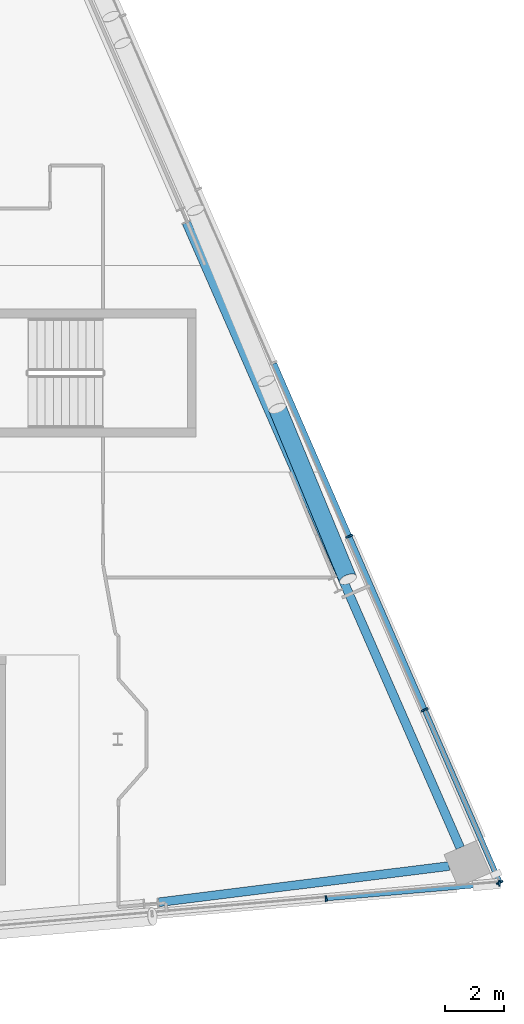
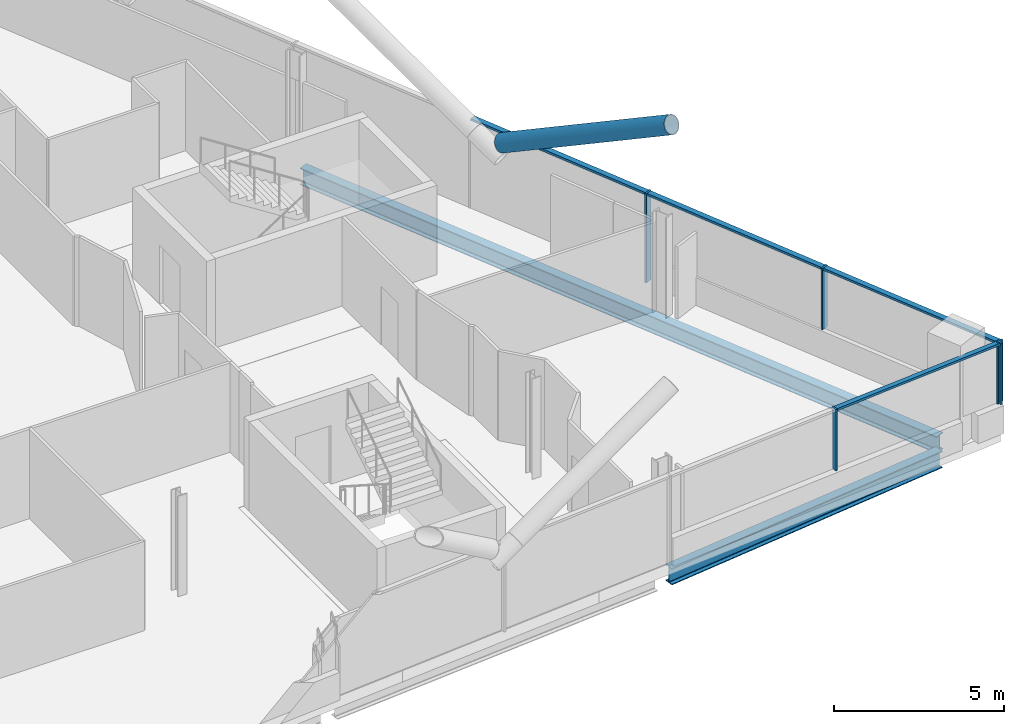
# One storey, part 12 of 28: 10 members, 2 beams, 2 elements without a shape of their own.
"""IFC4 building model written with IfcOpenShell, lengths in metres."""

from ifc_helpers import new_model, si_unit, direction, frame, origin, origin_2d, place, context, subcontext, project, spatial, rectangle, hollow_circle, i_section, extrude, material, material_profile, profile_set, type_object, element, aggregate, save


model = new_model("IFC4")

# Units and contexts
model_context = context("Model", 3, precision=1e-05, world=origin(), true_north=direction((0.0, 1.0)))
body_context = subcontext(model_context, "Body", "Model", "MODEL_VIEW")
ifc_project = project(units=[si_unit("LENGTHUNIT", "METRE"), si_unit("AREAUNIT", "SQUARE_METRE"), si_unit("VOLUMEUNIT", "CUBIC_METRE"), si_unit("PLANEANGLEUNIT", "RADIAN"), si_unit("MASSUNIT", "GRAM", prefix="KILO")], contexts=[model_context])

# Site, building, storey
site_placement = place(None, origin())
site = spatial("IfcSite", under=ifc_project, at=site_placement, CompositionType="ELEMENT")
building_placement = place(site_placement, origin())
building = spatial("IfcBuilding", under=site, at=building_placement, Name="Wharfspan Tower", CompositionType="ELEMENT")
storey_placement = place(building_placement, frame((0.0, 0.0, 253.899902)))
storey = spatial("IfcBuildingStorey", under=building, at=storey_placement, Name="L64", CompositionType="ELEMENT", Elevation=253.899902)

# Beams
ifc_material_1 = material(Name="Steel S355J2", Category="steel")
ifc_material_profile_1 = material_profile(ifc_material_1, i_section(OverallWidth=0.300049, OverallDepth=0.600098, WebThickness=0.015381, FlangeThickness=0.030029, FilletRadius=0.0271, at=origin_2d()))
ifc_profile_set_1 = profile_set([ifc_material_profile_1], Name="Steel S355J2")
beam_type = type_object("IfcBeamType", Name="Edge beam HEB 600", PredefinedType="SPANDREL", material=ifc_profile_set_1)
beam_1_placement = place(storey_placement, frame((73.391602, 5.955322, -0.699951), z_axis=(0.992301, 0.123848, 0.0), x_axis=(-0.123848, 0.992301, 0.0)))
element("IfcBeam", 1, at=beam_1_placement, inside=storey, type_object=beam_type, Name="Edge beam S2 L64 PS2.2 to MC4", PredefinedType="SPANDREL", context=body_context, shape_type="SweptSolid", body=[
    extrude(i_section(OverallWidth=0.300049, OverallDepth=0.600098, WebThickness=0.015381, FlangeThickness=0.030029, FilletRadius=0.0271, at=origin_2d()), origin(), (0.0, 0.0, 1.0), 9.951172),
])
beam_2_placement = place(storey_placement, frame((83.643799, 7.810547, -0.699951), z_axis=(-0.401141, 0.916016, 0.0), x_axis=(-0.916016, -0.401141, 0.0)))
element("IfcBeam", 2, at=beam_2_placement, inside=storey, type_object=beam_type, Name="Edge beam E L64 MC4 to PE.2", PredefinedType="SPANDREL", context=body_context, shape_type="SweptSolid", body=[
    extrude(i_section(OverallWidth=0.300049, OverallDepth=0.600098, WebThickness=0.015381, FlangeThickness=0.030029, FilletRadius=0.0271, at=origin_2d()), origin(), (0.0, 0.0, 1.0), 23.196045),
])

# Curtain wall, members
ifc_material_2 = material(Name="Aluminium 6063-T6", Category="aluminium")
curtain_wall_type_1 = type_object("IfcCurtainWallType", Name="CURTAIN WALL FACETED FRONT", PredefinedType="NOTDEFINED", material=ifc_material_2)
curtain_wall_1_placement = place(storey_placement, origin())
curtain_wall_1 = element("IfcCurtainWall", 3, at=curtain_wall_1_placement, inside=storey, type_object=curtain_wall_type_1, Name="Curtain wall S2", PredefinedType="NOTDEFINED")
ifc_material_profile_2 = material_profile(ifc_material_2, rectangle(XDim=0.199951, YDim=0.060059, at=origin_2d()))
ifc_profile_set_2 = profile_set([ifc_material_profile_2], Name="Aluminium 6063-T6")
member_type_1 = type_object("IfcMemberType", Name="MULLION FACETED FRONT 60x200", PredefinedType="MULLION", material=ifc_profile_set_2)
member_1_placement = place(storey_placement, frame((79.083252, 6.082275, 1.0), z_axis=(0.0, 0.0, 1.0), x_axis=(-0.087156, 0.996197, 0.0)))
member_1 = element("IfcMember", 4, at=member_1_placement, type_object=member_type_1, Name="Curtain wall S2 mullion 6", PredefinedType="MULLION", context=body_context, shape_type="SweptSolid", body=[
    extrude(rectangle(XDim=0.199951, YDim=0.060059, at=origin_2d()), origin(), (0.0, 0.0, 1.0), 2.200195),
])
member_2_placement = place(storey_placement, frame((84.970215, 6.597412, 1.0), z_axis=(0.0, 0.0, 1.0), x_axis=(-0.087156, 0.996197, 0.0)))
member_2 = element("IfcMember", 5, at=member_2_placement, type_object=member_type_1, Name="Curtain wall S2 mullion 7", PredefinedType="MULLION", context=body_context, shape_type="SweptSolid", body=[
    extrude(rectangle(XDim=0.199951, YDim=0.060059, at=origin_2d()), origin(), (0.0, 0.0, 1.0), 2.200195),
])

curtain_wall_type_2 = type_object("IfcCurtainWallType", Name="CURTAIN WALL PROW AND END", PredefinedType="NOTDEFINED", material=ifc_material_2)
curtain_wall_2_placement = place(storey_placement, origin())
curtain_wall_2 = element("IfcCurtainWall", 6, at=curtain_wall_2_placement, inside=storey, type_object=curtain_wall_type_2, Name="Curtain wall E", PredefinedType="NOTDEFINED")
ifc_material_profile_3 = material_profile(ifc_material_2, rectangle(XDim=0.23999, YDim=0.060059, at=origin_2d()))
ifc_profile_set_3 = profile_set([ifc_material_profile_3], Name="Aluminium 6063-T6")
member_type_2 = type_object("IfcMemberType", Name="MULLION PROW AND END 60x240", PredefinedType="MULLION", material=ifc_profile_set_3)
member_3_placement = place(storey_placement, frame((84.988037, 6.627441, 1.0), z_axis=(0.0, 0.0, 1.0), x_axis=(-0.917072, -0.398727, 0.0)))
member_3 = element("IfcMember", 7, at=member_3_placement, type_object=member_type_2, Name="Curtain wall E mullion 1", PredefinedType="MULLION", context=body_context, shape_type="SweptSolid", body=[
    extrude(rectangle(XDim=0.23999, YDim=0.060059, at=origin_2d()), origin(), (0.0, 0.0, 1.0), 2.200195),
])
member_4_placement = place(storey_placement, frame((82.434814, 12.5, 1.0), z_axis=(0.0, 0.0, 1.0), x_axis=(-0.917072, -0.398727, 0.0)))
member_4 = element("IfcMember", 8, at=member_4_placement, type_object=member_type_2, Name="Curtain wall E mullion 2", PredefinedType="MULLION", context=body_context, shape_type="SweptSolid", body=[
    extrude(rectangle(XDim=0.23999, YDim=0.060059, at=origin_2d()), origin(), (0.0, 0.0, 1.0), 2.200195),
])
member_5_placement = place(storey_placement, frame((79.869629, 18.399902, 0.0), z_axis=(0.0, 0.0, 1.0), x_axis=(-0.917072, -0.398727, 0.0)))
member_5 = element("IfcMember", 9, at=member_5_placement, type_object=member_type_2, Name="Curtain wall E mullion 3", PredefinedType="MULLION", context=body_context, shape_type="SweptSolid", body=[
    extrude(rectangle(XDim=0.23999, YDim=0.060059, at=origin_2d()), origin(), (0.0, 0.0, 1.0), 3.200195),
])

# Member
ifc_material_3 = material(Name="Steel S460NH", Category="steel")
ifc_material_profile_4 = material_profile(ifc_material_3, hollow_circle(Radius=0.304932, WallThickness=0.024902, at=origin_2d()))
ifc_profile_set_4 = profile_set([ifc_material_profile_4], Name="Steel S460NH")
member_type_3 = type_object("IfcMemberType", Name="Mega brace CHS 610x25", PredefinedType="BRACE", material=ifc_profile_set_4)
member_6_placement = place(storey_placement, frame((77.431885, 22.744141, 3.16748), z_axis=(0.337047, -0.816368, 0.46898), x_axis=(0.924317, 0.381615, 0.0)))
element("IfcMember", 10, at=member_6_placement, inside=storey, type_object=member_type_3, Name="Mega brace E5 L64 part 4", PredefinedType="BRACE", context=body_context, shape_type="SweptSolid", body=[
    extrude(hollow_circle(Radius=0.304932, WallThickness=0.024902, at=origin_2d()), origin(), (0.0, 0.0, 1.0), 7.105957),
])

ifc_material_profile_5 = material_profile(ifc_material_2, rectangle(XDim=0.159912, YDim=0.080078, at=origin_2d()))
ifc_profile_set_5 = profile_set([ifc_material_profile_5], Name="Aluminium 6063-T6")
member_type_4 = type_object("IfcMemberType", Name="TRANSOM FACETED FRONT 80x160", PredefinedType="USERDEFINED", material=ifc_profile_set_5)
member_7_placement = place(storey_placement, frame((79.113281, 6.084961, 3.160156), z_axis=(0.996195, 0.087152, 0.0), x_axis=(-0.087152, 0.996195, 0.0)))
member_7 = element("IfcMember", 11, at=member_7_placement, type_object=member_type_4, Name="Curtain wall S2 transom 6", ObjectType="TRANSOM", PredefinedType="USERDEFINED", context=body_context, shape_type="SweptSolid", body=[
    extrude(rectangle(XDim=0.159912, YDim=0.080078, at=origin_2d()), origin(), (0.0, 0.0, 1.0), 5.849121),
])

aggregate(curtain_wall_1, [member_1, member_2, member_7])

ifc_material_profile_6 = material_profile(ifc_material_2, rectangle(XDim=0.179932, YDim=0.080078, at=origin_2d()))
ifc_profile_set_6 = profile_set([ifc_material_profile_6], Name="Aluminium 6063-T6")
member_type_5 = type_object("IfcMemberType", Name="TRANSOM PROW AND END 80x180", PredefinedType="USERDEFINED", material=ifc_profile_set_6)
member_8_placement = place(storey_placement, frame((84.976074, 6.655029, 3.160156), z_axis=(-0.398726, 0.91707, 0.0), x_axis=(-0.91707, -0.398726, 0.0)))
member_8 = element("IfcMember", 12, at=member_8_placement, type_object=member_type_5, Name="Curtain wall E transom 1", ObjectType="TRANSOM", PredefinedType="USERDEFINED", context=body_context, shape_type="SweptSolid", body=[
    extrude(rectangle(XDim=0.179932, YDim=0.080078, at=origin_2d()), origin(), (0.0, 0.0, 1.0), 6.343506),
])

member_9_placement = place(storey_placement, frame((82.422852, 12.527588, 3.160156), z_axis=(-0.398722, 0.917072, 0.0), x_axis=(-0.917072, -0.398722, 0.0)))
member_9 = element("IfcMember", 13, at=member_9_placement, type_object=member_type_5, Name="Curtain wall E transom 2", ObjectType="TRANSOM", PredefinedType="USERDEFINED", context=body_context, shape_type="SweptSolid", body=[
    extrude(rectangle(XDim=0.179932, YDim=0.080078, at=origin_2d()), origin(), (0.0, 0.0, 1.0), 6.373535),
])

member_10_placement = place(storey_placement, frame((79.857666, 18.42749, 3.160156), z_axis=(-0.398722, 0.917072, 0.0), x_axis=(-0.917072, -0.398722, 0.0)))
member_10 = element("IfcMember", 14, at=member_10_placement, type_object=member_type_5, Name="Curtain wall E transom 3", ObjectType="TRANSOM", PredefinedType="USERDEFINED", context=body_context, shape_type="SweptSolid", body=[
    extrude(rectangle(XDim=0.179932, YDim=0.080078, at=origin_2d()), origin(), (0.0, 0.0, 1.0), 6.373535),
])

aggregate(curtain_wall_2, [member_3, member_4, member_5, member_8, member_9, member_10])

save(model, "model.ifc")
